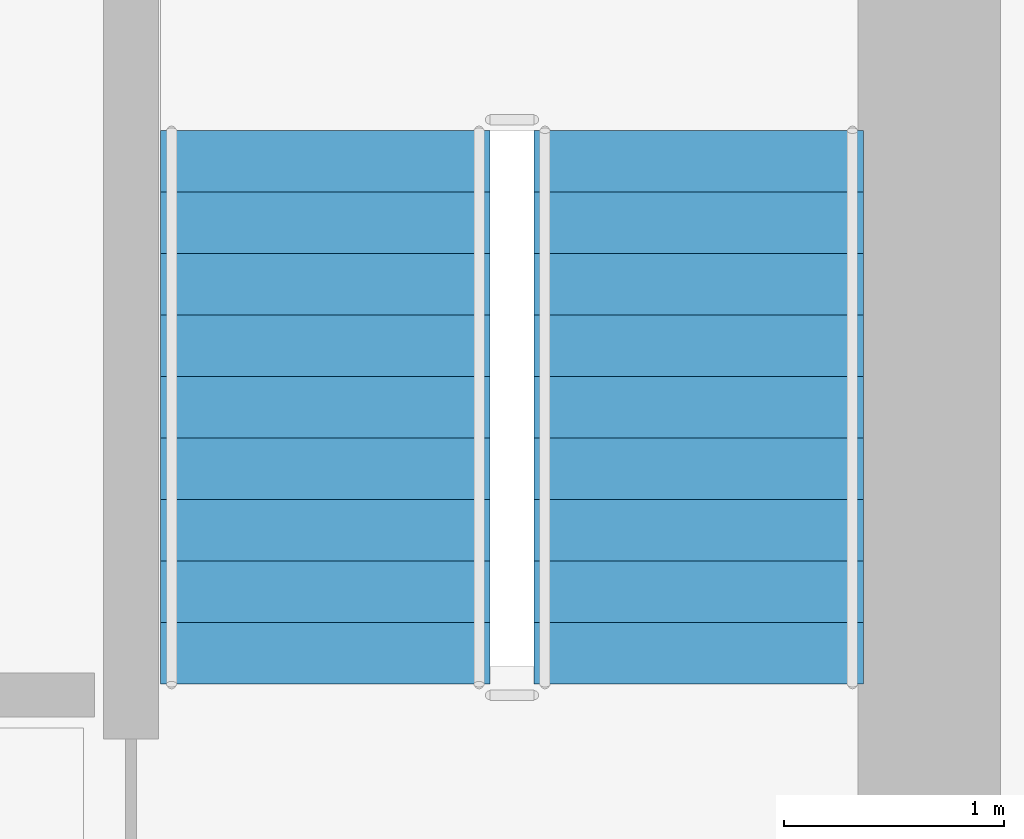
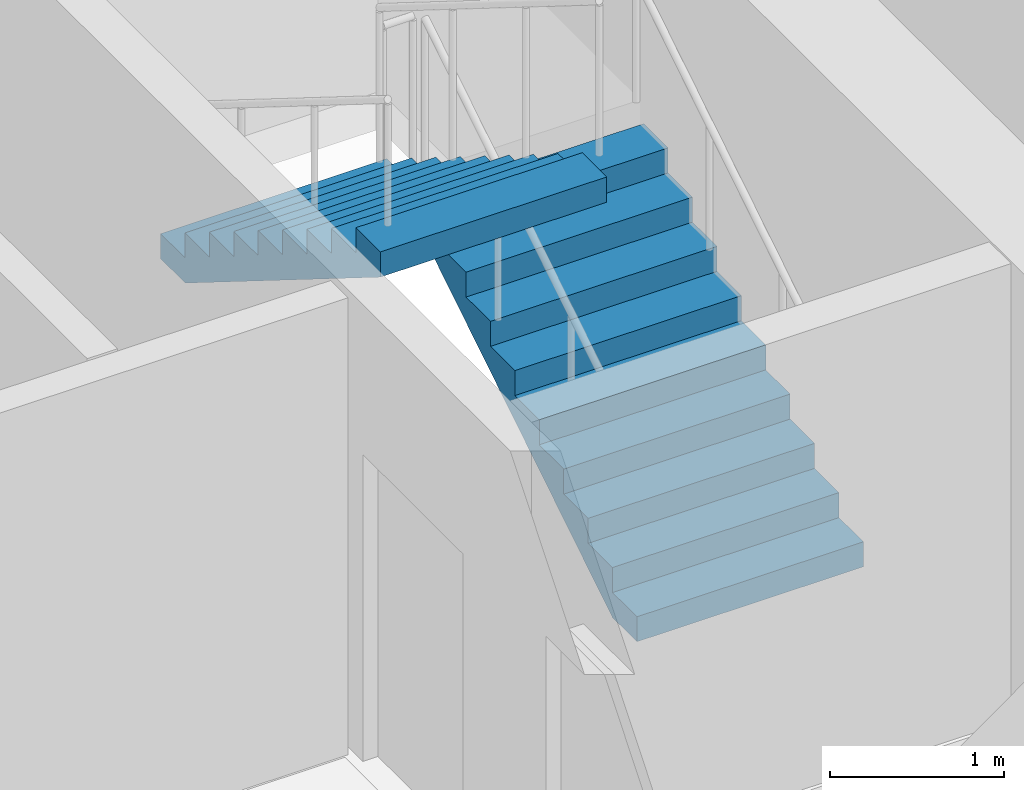
# One storey, part 6 of 10: 2 stair flights, 1 element without a shape of its own.
"""IFC4 building model written with IfcOpenShell, lengths in metres."""

from ifc_helpers import new_model, si_unit, direction, frame, origin, place, context, subcontext, project, spatial, polyline, outline, extrude, material, type_object, element, aggregate, save


model = new_model("IFC4")

# Units and contexts
model_context = context("Model", 3, precision=1e-05, world=origin(), true_north=direction((0.0, 1.0)))
body_context = subcontext(model_context, "Body", "Model", "MODEL_VIEW")
ifc_project = project(units=[si_unit("LENGTHUNIT", "METRE"), si_unit("AREAUNIT", "SQUARE_METRE"), si_unit("VOLUMEUNIT", "CUBIC_METRE"), si_unit("PLANEANGLEUNIT", "RADIAN"), si_unit("MASSUNIT", "GRAM", prefix="KILO")], contexts=[model_context])

# Site, building, storey
site_placement = place(None, origin())
site = spatial("IfcSite", under=ifc_project, at=site_placement, CompositionType="ELEMENT")
building_placement = place(site_placement, origin())
building = spatial("IfcBuilding", under=site, at=building_placement, Name="Kranthara Brick Stack", CompositionType="ELEMENT")
storey_placement = place(building_placement, frame((0.0, 0.0, 155.300048828125)))
storey = spatial("IfcBuildingStorey", under=building, at=storey_placement, Name="L39", CompositionType="ELEMENT", Elevation=155.300048828125)

# Stair, stair flights
ifc_material_1 = material(Name="Concrete C45/55", Category="concrete")
stair_type = type_object("IfcStairType", Name="ST-CORE-20R", PredefinedType="HALF_TURN_STAIR", material=ifc_material_1)
stair_placement = place(storey_placement, origin())
stair = element("IfcStair", 1, at=stair_placement, inside=storey, type_object=stair_type, Name="L39 East Core Protected Exit Stair ST02", PredefinedType="HALF_TURN_STAIR")
ifc_material_2 = material(Name="Concrete C45/55", Category="concrete")
stair_flight_type = type_object("IfcStairFlightType", Name="SFL-RC-20R", PredefinedType="STRAIGHT", material=ifc_material_2)
stair_flight_1_placement = place(storey_placement, frame((42.14990234375, 25.199951171875, 0.0), z_axis=(0.0, 0.0, 1.0), x_axis=(0.0, 1.0, 0.0)))
stair_flight_1 = element("IfcStairFlight", 2, at=stair_flight_1_placement, type_object=stair_flight_type, Name="ST02 flight 1", NumberOfRisers=10, NumberOfTreads=9, PredefinedType="STRAIGHT", RiserHeight=0.175, TreadLength=0.28, context=body_context, shape_type="SweptSolid", body=[
    extrude(outline(polyline([(0.0, 0.0), (0.0, 0.175048828125), (0.280029296875, 0.175048828125), (0.280029296875, 0.35009765625), (0.56005859375, 0.35009765625), (0.56005859375, 0.52490234375), (0.840087890625, 0.52490234375), (0.840087890625, 0.699951171875), (1.1201171875, 0.699951171875), (1.1201171875, 0.875), (1.39990234375, 0.875), (1.39990234375, 1.050048828125), (1.679931640625, 1.050048828125), (1.679931640625, 1.22509765625), (1.9599609375, 1.22509765625), (1.9599609375, 1.39990234375), (2.239990234375, 1.39990234375), (2.239990234375, 1.574951171875), (2.52001953125, 1.574951171875), (2.52001953125, 1.75), (2.52001953125, 1.398193359375), (0.28271484375, 0.0), (0.0, 0.0)])), frame((0.0, 0.75, 0.0), z_axis=(0.0, -1.0, 0.0), x_axis=(1.0, 0.0, 0.0)), (0.0, 0.0, 1.0), 1.5),
])
stair_flight_2_placement = place(storey_placement, frame((40.449951171875, 27.719970703125, 1.75), z_axis=(0.0, 0.0, 1.0), x_axis=(0.0, -1.0, 0.0)))
stair_flight_2 = element("IfcStairFlight", 3, at=stair_flight_2_placement, type_object=stair_flight_type, Name="ST02 flight 2", NumberOfRisers=10, NumberOfTreads=9, PredefinedType="STRAIGHT", RiserHeight=0.175, TreadLength=0.28, context=body_context, shape_type="SweptSolid", body=[
    extrude(outline(polyline([(0.0, 0.0), (0.0, 0.175048828125), (0.280029296875, 0.175048828125), (0.280029296875, 0.35009765625), (0.56005859375, 0.35009765625), (0.56005859375, 0.52490234375), (0.840087890625, 0.52490234375), (0.840087890625, 0.699951171875), (1.1201171875, 0.699951171875), (1.1201171875, 0.875), (1.39990234375, 0.875), (1.39990234375, 1.050048828125), (1.679931640625, 1.050048828125), (1.679931640625, 1.22509765625), (1.9599609375, 1.22509765625), (1.9599609375, 1.39990234375), (2.239990234375, 1.39990234375), (2.239990234375, 1.574951171875), (2.52001953125, 1.574951171875), (2.52001953125, 1.75), (2.52001953125, 1.398193359375), (0.28271484375, 0.0), (0.0, 0.0)])), frame((0.0, 0.75, 0.0), z_axis=(0.0, -1.0, 0.0), x_axis=(1.0, 0.0, 0.0)), (0.0, 0.0, 1.0), 1.5),
])
aggregate(stair, [stair_flight_1, stair_flight_2])

save(model, "model.ifc")
